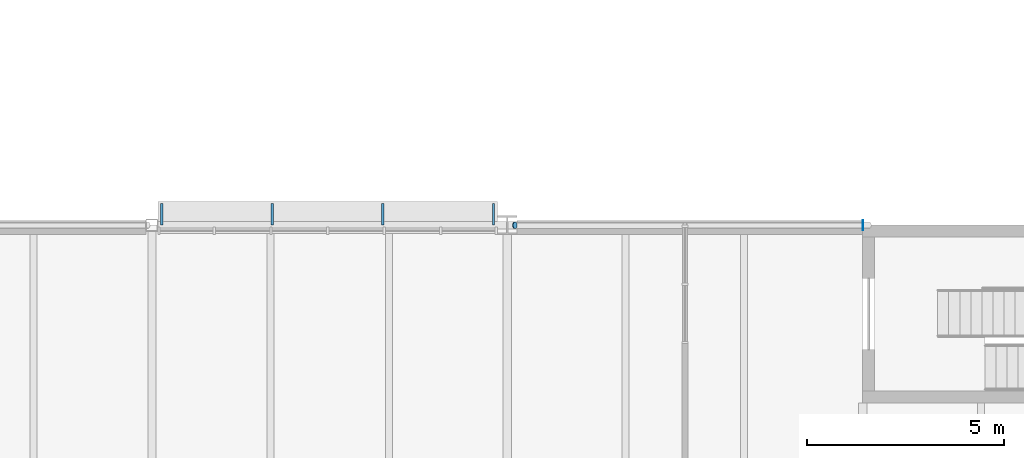
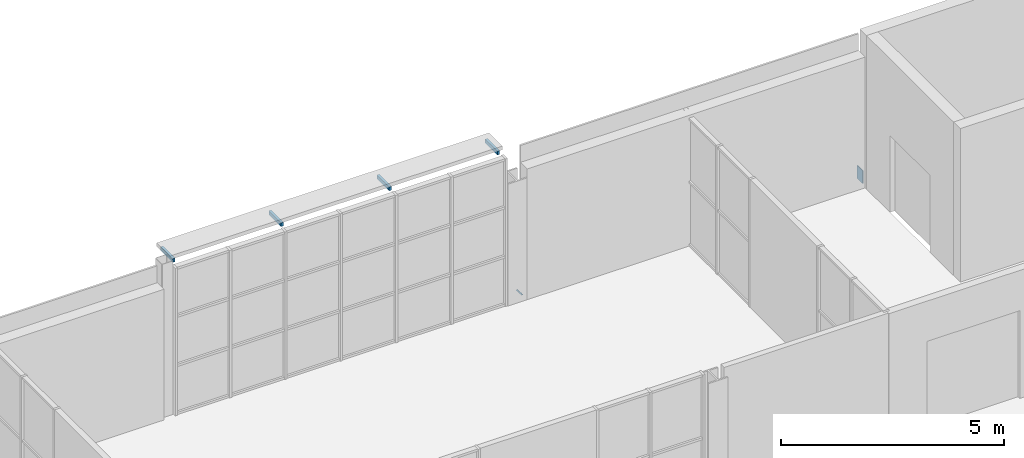
# One storey, part 48 of 61: 6 discrete accessories.
"""IFC4 building model written with IfcOpenShell, lengths in metres."""

from ifc_helpers import new_model, si_unit, direction, frame, origin, origin_2d, place, context, subcontext, project, spatial, rectangle, circle, extrude, element, save


model = new_model("IFC4")

# Units and contexts
model_context = context("Model", 3, precision=1e-05, world=origin(), true_north=direction((0.0, 1.0)))
body_context = subcontext(model_context, "Body", "Model", "MODEL_VIEW")
ifc_project = project(units=[si_unit("LENGTHUNIT", "METRE"), si_unit("AREAUNIT", "SQUARE_METRE"), si_unit("VOLUMEUNIT", "CUBIC_METRE"), si_unit("PLANEANGLEUNIT", "RADIAN"), si_unit("MASSUNIT", "GRAM", prefix="KILO")], contexts=[model_context])

# Site, building, storey
site_placement = place(None, origin())
site = spatial("IfcSite", under=ifc_project, at=site_placement, CompositionType="ELEMENT")
building_placement = place(site_placement, origin())
building = spatial("IfcBuilding", under=site, at=building_placement, Name="Halyard Row Museum", CompositionType="ELEMENT")
storey_placement = place(building_placement, frame((0.0, 0.0, 9.199951171875)))
storey = spatial("IfcBuildingStorey", under=building, at=storey_placement, Name="L02", CompositionType="ELEMENT", Elevation=9.199951171875)

# Discrete accessories
discrete_accessory_1_placement = place(storey_placement, frame((54.199951171875, 45.0, 0.084228515625), z_axis=(-0.782059551443, 0.0, -0.623203705056), x_axis=(0.0, -1.0, 0.0)))
element("IfcDiscreteAccessory", 1, at=discrete_accessory_1_placement, inside=storey, Name="Brace L02 Y45 54-63 A foot end plate", PredefinedType="BRACKET", context=body_context, shape_type="SweptSolid", body=[
    extrude(circle(Radius=0.084228515625, at=origin_2d()), origin(), (0.0, 0.0, 1.0), 0.02001953125),
])
discrete_accessory_2_placement = place(storey_placement, frame((63.0, 45.0, 0.215087890625), z_axis=(1.0, 0.0, 0.0), x_axis=(0.0, 1.0, 0.0)))
element("IfcDiscreteAccessory", 2, at=discrete_accessory_2_placement, inside=storey, Name="Brace L02 Y45 54-63 B cast-in plate", PredefinedType="ANCHORPLATE", context=body_context, shape_type="SweptSolid", body=[
    extrude(rectangle(XDim=0.25, YDim=0.35009765625, at=origin_2d()), origin(), (0.0, 0.0, 1.0), 0.02001953125),
])
for number, where, z_axis, x_axis, name in (
    (3, (53.64990234375, 45.27490234375, 4.034912109375), (0.0, 0.0, 1.0), (1.0, 0.0, 0.0), "Louvre bracket"),
    (4, (50.85009765625, 45.27490234375, 4.034912109375), (0.0, 0.0, 1.0), (1.0, 0.0, 0.0), "Louvre bracket"),
    (5, (48.050048828125, 45.27490234375, 4.034912109375), (0.0, 0.0, 1.0), (1.0, 0.0, 0.0), "Louvre bracket"),
    (6, (45.25, 45.27490234375, 4.034912109375), (0.0, 0.0, 1.0), (1.0, 0.0, 0.0), "Louvre bracket"),
):
    element("IfcDiscreteAccessory", number, at=place(storey_placement, frame(where, z_axis=z_axis, x_axis=x_axis)), inside=storey, Name=name, PredefinedType="BRACKET", context=body_context, shape_type="SweptSolid", body=[
        extrude(rectangle(XDim=0.06005859375, YDim=0.550048828125, at=origin_2d()), origin(), (0.0, 0.0, 1.0), 0.10009765625),
    ])

save(model, "model.ifc")
